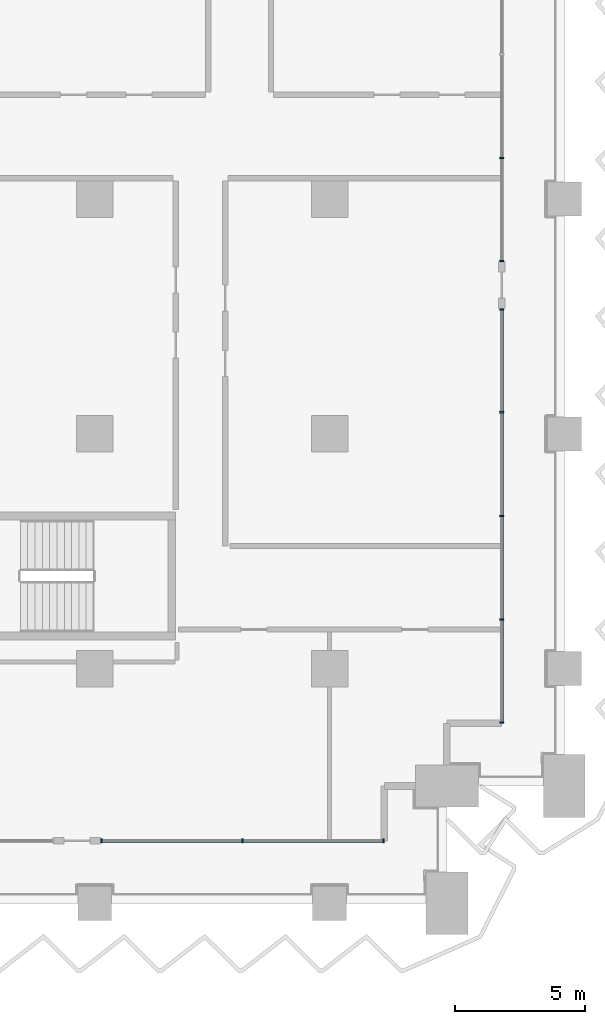
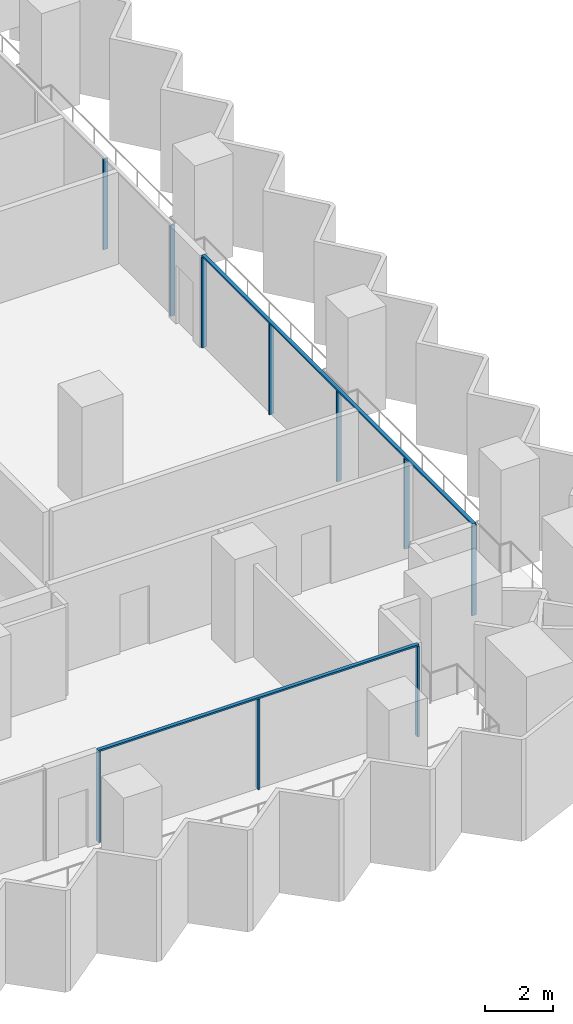
# One storey, part 6 of 28: 12 members, 3 elements without a shape of their own.
"""IFC4 building model written with IfcOpenShell, lengths in metres."""

from ifc_helpers import new_model, si_unit, direction, frame, origin, origin_2d, place, context, subcontext, project, spatial, rectangle, extrude, material, material_profile, profile_set, type_object, element, aggregate, save


model = new_model("IFC4")

# Units and contexts
model_context = context("Model", 3, precision=1e-05, world=origin(), true_north=direction((0.0, 1.0)))
body_context = subcontext(model_context, "Body", "Model", "MODEL_VIEW")
ifc_project = project(units=[si_unit("LENGTHUNIT", "METRE"), si_unit("AREAUNIT", "SQUARE_METRE"), si_unit("VOLUMEUNIT", "CUBIC_METRE"), si_unit("PLANEANGLEUNIT", "RADIAN"), si_unit("MASSUNIT", "GRAM", prefix="KILO")], contexts=[model_context])

# Site, building, storey
site_placement = place(None, origin())
site = spatial("IfcSite", under=ifc_project, at=site_placement, CompositionType="ELEMENT")
building_placement = place(site_placement, origin())
building = spatial("IfcBuilding", under=site, at=building_placement, Name="Hunhe Ridgeline Campus", CompositionType="ELEMENT")
storey_placement = place(building_placement, frame((0.0, 0.0, 35.800048828125)))
storey = spatial("IfcBuildingStorey", under=building, at=storey_placement, Name="L07", CompositionType="ELEMENT", Elevation=35.800048828125)

# Curtain wall, members
ifc_material = material(Name="Aluminium 6063", Category="aluminium")
curtain_wall_type = type_object("IfcCurtainWallType", Name="Curtain wall CW-1", PredefinedType="NOTDEFINED", material=ifc_material)
curtain_wall_1_placement = place(storey_placement, origin())
curtain_wall_1 = element("IfcCurtainWall", 1, at=curtain_wall_1_placement, inside=storey, type_object=curtain_wall_type, Name="Curtain wall 14", PredefinedType="NOTDEFINED")
ifc_material_profile_1 = material_profile(ifc_material, rectangle(XDim=0.159912109375, YDim=0.06005859375, at=origin_2d()))
ifc_profile_set_1 = profile_set([ifc_material_profile_1], Name="Aluminium 6063")
member_type_1 = type_object("IfcMemberType", Name="CW-1 aluminium mullion", PredefinedType="MULLION", material=ifc_profile_set_1)
member_1_placement = place(storey_placement, frame((81.254150390625, 56.40087890625, 0.0), z_axis=(0.0, 0.0, 1.0), x_axis=(-3.58625e-06, 0.999999999994, 0.0)))
member_1 = element("IfcMember", 2, at=member_1_placement, type_object=member_type_1, Name="CW-1 mullion 1", PredefinedType="MULLION", context=body_context, shape_type="SweptSolid", body=[
    extrude(rectangle(XDim=0.159912109375, YDim=0.06005859375, at=origin_2d()), origin(), (0.0, 0.0, 1.0), 3.239990234375),
])
member_2_placement = place(storey_placement, frame((86.66162109375, 56.40087890625, 0.0), z_axis=(0.0, 0.0, 1.0), x_axis=(-3.58625e-06, 0.999999999994, 0.0)))
member_2 = element("IfcMember", 3, at=member_2_placement, type_object=member_type_1, Name="CW-1 mullion 2", PredefinedType="MULLION", context=body_context, shape_type="SweptSolid", body=[
    extrude(rectangle(XDim=0.159912109375, YDim=0.06005859375, at=origin_2d()), origin(), (0.0, 0.0, 1.0), 3.239990234375),
])
member_3_placement = place(storey_placement, frame((92.069091796875, 56.40087890625, 0.0), z_axis=(0.0, 0.0, 1.0), x_axis=(-3.58625e-06, 0.999999999994, 0.0)))
member_3 = element("IfcMember", 4, at=member_3_placement, type_object=member_type_1, Name="CW-1 mullion 3", PredefinedType="MULLION", context=body_context, shape_type="SweptSolid", body=[
    extrude(rectangle(XDim=0.159912109375, YDim=0.06005859375, at=origin_2d()), origin(), (0.0, 0.0, 1.0), 3.239990234375),
])

curtain_wall_2_placement = place(storey_placement, origin())
curtain_wall_2 = element("IfcCurtainWall", 5, at=curtain_wall_2_placement, inside=storey, type_object=curtain_wall_type, Name="Curtain wall 15", PredefinedType="NOTDEFINED")
member_4_placement = place(storey_placement, frame((96.59912109375, 60.930908203125, 0.0), z_axis=(0.0, 0.0, 1.0), x_axis=(-1.0, 0.0, 0.0)))
member_4 = element("IfcMember", 6, at=member_4_placement, type_object=member_type_1, Name="CW-1 mullion 1", PredefinedType="MULLION", context=body_context, shape_type="SweptSolid", body=[
    extrude(rectangle(XDim=0.159912109375, YDim=0.06005859375, at=origin_2d()), origin(), (0.0, 0.0, 1.0), 3.239990234375),
])
member_5_placement = place(storey_placement, frame((96.59912109375, 64.8759765625, 0.0), z_axis=(0.0, 0.0, 1.0), x_axis=(-1.0, 0.0, 0.0)))
member_5 = element("IfcMember", 7, at=member_5_placement, type_object=member_type_1, Name="CW-1 mullion 2", PredefinedType="MULLION", context=body_context, shape_type="SweptSolid", body=[
    extrude(rectangle(XDim=0.159912109375, YDim=0.06005859375, at=origin_2d()), origin(), (0.0, 0.0, 1.0), 3.239990234375),
])
member_6_placement = place(storey_placement, frame((96.59912109375, 68.850830078125, 0.0), z_axis=(0.0, 0.0, 1.0), x_axis=(-1.0, 0.0, 0.0)))
member_6 = element("IfcMember", 8, at=member_6_placement, type_object=member_type_1, Name="CW-1 mullion 3", PredefinedType="MULLION", context=body_context, shape_type="SweptSolid", body=[
    extrude(rectangle(XDim=0.159912109375, YDim=0.06005859375, at=origin_2d()), origin(), (0.0, 0.0, 1.0), 3.239990234375),
])
member_7_placement = place(storey_placement, frame((96.59912109375, 72.82568359375, 0.0), z_axis=(0.0, 0.0, 1.0), x_axis=(-1.0, 0.0, 0.0)))
member_7 = element("IfcMember", 9, at=member_7_placement, type_object=member_type_1, Name="CW-1 mullion 4", PredefinedType="MULLION", context=body_context, shape_type="SweptSolid", body=[
    extrude(rectangle(XDim=0.159912109375, YDim=0.06005859375, at=origin_2d()), origin(), (0.0, 0.0, 1.0), 3.239990234375),
])
member_8_placement = place(storey_placement, frame((96.59912109375, 76.7705078125, 0.0), z_axis=(0.0, 0.0, 1.0), x_axis=(-1.0, 0.0, 0.0)))
member_8 = element("IfcMember", 10, at=member_8_placement, type_object=member_type_1, Name="CW-1 mullion 5", PredefinedType="MULLION", context=body_context, shape_type="SweptSolid", body=[
    extrude(rectangle(XDim=0.159912109375, YDim=0.06005859375, at=origin_2d()), origin(), (0.0, 0.0, 1.0), 3.239990234375),
])

curtain_wall_3_placement = place(storey_placement, origin())
curtain_wall_3 = element("IfcCurtainWall", 11, at=curtain_wall_3_placement, inside=storey, type_object=curtain_wall_type, Name="Curtain wall 16", PredefinedType="NOTDEFINED")
member_9_placement = place(storey_placement, frame((96.59912109375, 78.630615234375, 0.0), z_axis=(0.0, 0.0, 1.0), x_axis=(-1.0, 0.0, 0.0)))
member_9 = element("IfcMember", 12, at=member_9_placement, type_object=member_type_1, Name="CW-1 mullion 1", PredefinedType="MULLION", context=body_context, shape_type="SweptSolid", body=[
    extrude(rectangle(XDim=0.159912109375, YDim=0.06005859375, at=origin_2d()), origin(), (0.0, 0.0, 1.0), 3.239990234375),
])
member_10_placement = place(storey_placement, frame((96.59912109375, 82.575439453125, 0.0), z_axis=(0.0, 0.0, 1.0), x_axis=(-1.0, 0.0, 0.0)))
member_10 = element("IfcMember", 13, at=member_10_placement, type_object=member_type_1, Name="CW-1 mullion 2", PredefinedType="MULLION", context=body_context, shape_type="SweptSolid", body=[
    extrude(rectangle(XDim=0.159912109375, YDim=0.06005859375, at=origin_2d()), origin(), (0.0, 0.0, 1.0), 3.239990234375),
])
aggregate(curtain_wall_3, [member_9, member_10])

# Member
ifc_material_profile_2 = material_profile(ifc_material, rectangle(XDim=0.1201171875, YDim=0.06005859375, at=origin_2d()))
ifc_profile_set_2 = profile_set([ifc_material_profile_2], Name="Aluminium 6063")
member_type_2 = type_object("IfcMemberType", Name="CW-1 aluminium transom", PredefinedType="USERDEFINED", material=ifc_profile_set_2)
member_11_placement = place(storey_placement, frame((81.22412109375, 56.40087890625, 3.27001953125), z_axis=(1.0, 0.0, 0.0), x_axis=(0.0, 1.0, 0.0)))
member_11 = element("IfcMember", 14, at=member_11_placement, type_object=member_type_2, Name="CW-1 transom 1", ObjectType="TRANSOM", PredefinedType="USERDEFINED", context=body_context, shape_type="SweptSolid", body=[
    extrude(rectangle(XDim=0.1201171875, YDim=0.06005859375, at=origin_2d()), origin(), (0.0, 0.0, 1.0), 10.875),
])

aggregate(curtain_wall_1, [member_11, member_1, member_2, member_3])

member_12_placement = place(storey_placement, frame((96.59912109375, 60.90087890625, 3.27001953125), z_axis=(0.0, 1.0, 0.0), x_axis=(-1.0, 0.0, 0.0)))
member_12 = element("IfcMember", 15, at=member_12_placement, type_object=member_type_2, Name="CW-1 transom 1", ObjectType="TRANSOM", PredefinedType="USERDEFINED", context=body_context, shape_type="SweptSolid", body=[
    extrude(rectangle(XDim=0.1201171875, YDim=0.06005859375, at=origin_2d()), origin(), (0.0, 0.0, 1.0), 15.899658203125),
])

aggregate(curtain_wall_2, [member_12, member_4, member_5, member_6, member_7, member_8])

save(model, "model.ifc")
